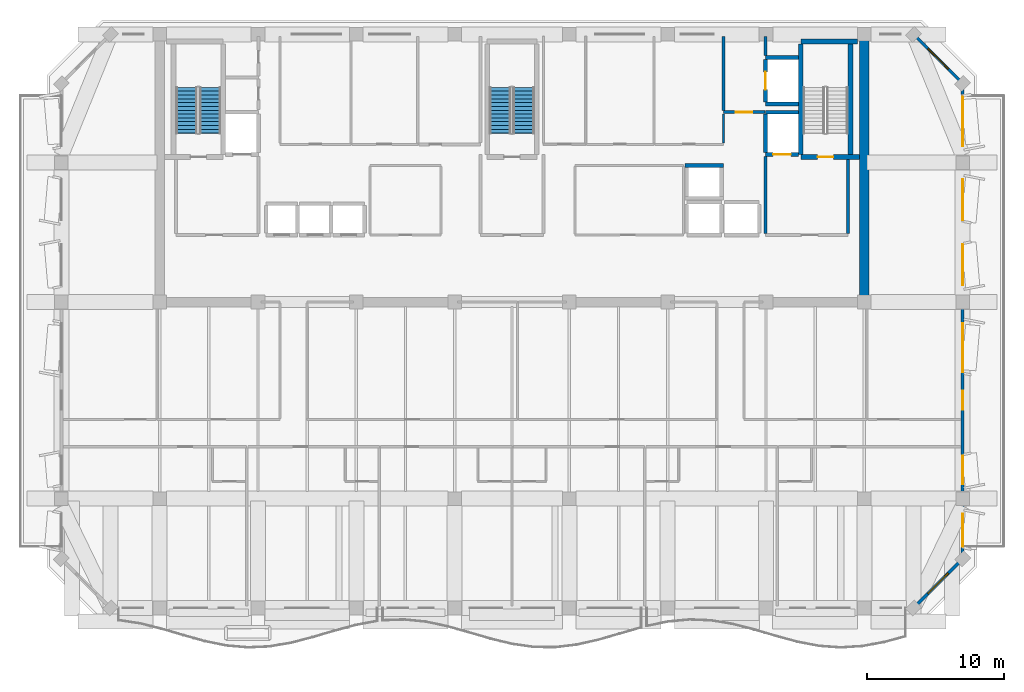
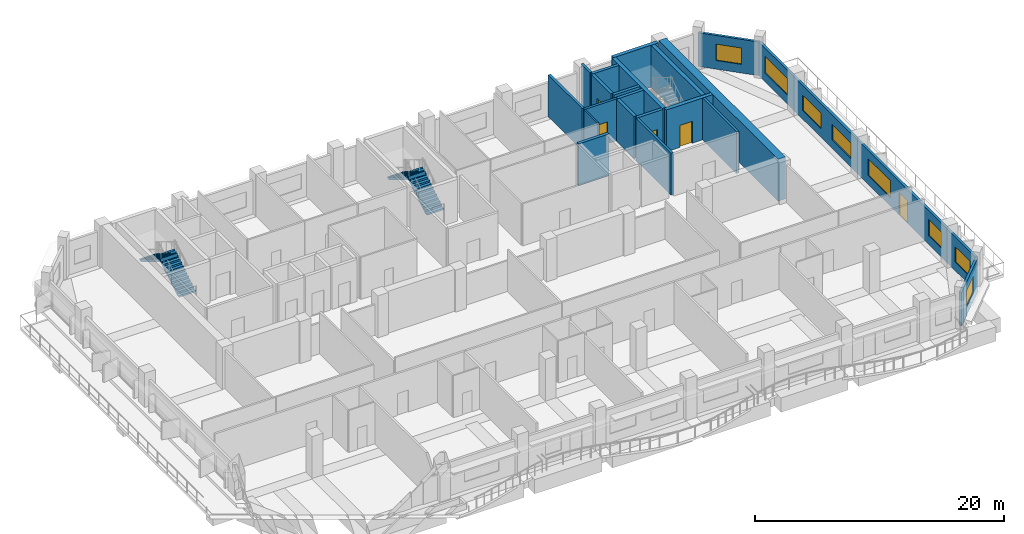
# One storey, part 7 of 12: 21 walls, 8 windows, 5 doors, 4 stair flights, 13 openings, 2 elements without a shape of their own.
"""IFC4 building model written with IfcOpenShell, lengths in metres."""

from ifc_helpers import new_model, si_unit, direction, frame, frame_2d, origin, place, context, subcontext, project, spatial, polyline, rectangle, outline, extrude, material, layer, layer_set, type_object, element, fill, aggregate, save


model = new_model("IFC4")

# Units and contexts
model_context = context("Model", 3, precision=1e-05, world=origin(), true_north=direction((0.0, 1.0)))
body_context = subcontext(model_context, "Body", "Model", "MODEL_VIEW")
ifc_project = project(units=[si_unit("LENGTHUNIT", "METRE"), si_unit("AREAUNIT", "SQUARE_METRE"), si_unit("VOLUMEUNIT", "CUBIC_METRE"), si_unit("PLANEANGLEUNIT", "RADIAN"), si_unit("MASSUNIT", "GRAM", prefix="KILO")], contexts=[model_context])

# Site, building, storey
site_placement = place(None, origin())
site = spatial("IfcSite", under=ifc_project, at=site_placement, CompositionType="ELEMENT")
building_placement = place(site_placement, origin())
building = spatial("IfcBuilding", under=site, at=building_placement, Name="Kaelvorn Grand Hotel", CompositionType="ELEMENT")
storey_placement = place(building_placement, frame((0.0, 0.0, 285.89990234375)))
storey = spatial("IfcBuildingStorey", under=building, at=storey_placement, Name="L70", CompositionType="ELEMENT", Elevation=285.89990234375)

# Wall
ifc_material_1 = material(Name="Concrete C50/60", Category="concrete")
ifc_layer_1 = layer(ifc_material_1, 0.699951171875)
ifc_layer_set_1 = layer_set([ifc_layer_1], Name="Concrete C50/60")
wall_type_1 = type_object("IfcWallType", Name="WL-CORE-700-C50", PredefinedType="SHEAR", material=ifc_layer_set_1)
wall_1_placement = place(storey_placement, frame((67.800048828125, 29.39990234375, 0.0), z_axis=(0.0, 0.0, 1.0), x_axis=(0.0, 1.0, 0.0)))
element("IfcWall", 1, at=wall_1_placement, inside=storey, type_object=wall_type_1, Name="L70 Rear-Core East Shear Wall", PredefinedType="SHEAR", context=body_context, shape_type="SweptSolid", body=[
    extrude(rectangle(XDim=19.2001953125, YDim=0.699951171875, at=frame_2d((9.60009765625, 0.0))), origin(), (0.0, 0.0, 1.0), 4.10009765625),
])

# Wall, opening, window
ifc_material_2 = material(Name="Concrete C40/50", Category="concrete")
ifc_layer_2 = layer(ifc_material_2, 0.219970703125)
ifc_layer_set_2 = layer_set([ifc_layer_2], Name="Concrete C40/50")
wall_type_2 = type_object("IfcWallType", Name="WL-EXT-220-C40", PredefinedType="SOLIDWALL", material=ifc_layer_set_2)
wall_2_placement = place(storey_placement, frame((71.39990234375, 7.0, 0.0), z_axis=(0.0, 0.0, 1.0), x_axis=(0.707106781187, 0.707106781187, 0.0)))
wall_2 = element("IfcWall", 2, at=wall_2_placement, inside=storey, type_object=wall_type_2, Name="L70 Exterior Architectural Concrete Wall 02", PredefinedType="SOLIDWALL", context=body_context, shape_type="SweptSolid", body=[
    extrude(rectangle(XDim=5.09130859375, YDim=0.219970703125, at=frame_2d((2.545654296875, 0.0))), origin(), (0.0, 0.0, 1.0), 3.300048828125),
])
opening_1_placement = place(wall_2_placement, frame((1.49560546875, 0.0, 0.85009765625)))
opening_1 = element("IfcOpeningElement", 3, at=opening_1_placement, cuts=wall_2, Name="Opening W7", PredefinedType="OPENING", context=body_context, shape_type="SweptSolid", body=[
    extrude(rectangle(XDim=2.10009765625, YDim=1.60009765625, at=frame_2d((1.050048828125, 0.800048828125))), frame((0.0, 0.1201171875, 0.0), z_axis=(0.0, -1.0, 0.0), x_axis=(1.0, 0.0, 0.0)), (0.0, 0.0, 1.0), 0.239990234375),
])
ifc_material_3 = material(Name="Laminated Low-E Glass", Category="glass")
window_type_1 = type_object("IfcWindowType", Name="WIN-CHM-2100x1600", PartitioningType="SINGLE_PANEL", PredefinedType="WINDOW", material=ifc_material_3)
window_1_placement = place(opening_1_placement, origin())
window_1 = element("IfcWindow", 4, at=window_1_placement, inside=storey, type_object=window_type_1, Name="L70 Chamfered 45-Degree Corner Window SE", OverallHeight=1.60009765625, OverallWidth=2.10009765625, PartitioningType="SINGLE_PANEL", PredefinedType="WINDOW", context=body_context, shape_type="SweptSolid", body=[
    extrude(rectangle(XDim=2.10009765625, YDim=1.60009765625, at=frame_2d((1.050048828125, 0.800048828125))), frame((0.0, 0.030029296875, 0.0), z_axis=(0.0, -1.0, 0.0), x_axis=(1.0, 0.0, 0.0)), (0.0, 0.0, 1.0), 0.06005859375),
])
fill(opening_1, window_1)

# Wall, openings, door, windows
wall_3_placement = place(storey_placement, frame((75.0, 10.60009765625, 0.0), z_axis=(0.0, 0.0, 1.0), x_axis=(0.0, 1.0, 0.0)))
wall_3 = element("IfcWall", 5, at=wall_3_placement, inside=storey, type_object=wall_type_2, Name="L70 Exterior Architectural Concrete Wall 03", PredefinedType="SOLIDWALL", context=body_context, shape_type="SweptSolid", body=[
    extrude(rectangle(XDim=34.7998046875, YDim=0.219970703125, at=frame_2d((17.39990234375, 0.0))), origin(), (0.0, 0.0, 1.0), 3.300048828125),
])
opening_2_placement = place(wall_3_placement, frame((10.89990234375, 0.0, 0.0)))
opening_2 = element("IfcOpeningElement", 6, at=opening_2_placement, cuts=wall_3, Name="Opening DE3", PredefinedType="OPENING", context=body_context, shape_type="SweptSolid", body=[
    extrude(rectangle(XDim=1.39990234375, YDim=2.199951171875, at=frame_2d((0.699951171875, 1.10009765625))), frame((0.0, 0.1201171875, 0.0), z_axis=(0.0, -1.0, 0.0), x_axis=(1.0, 0.0, 0.0)), (0.0, 0.0, 1.0), 0.239990234375),
])
opening_3_placement = place(wall_3_placement, frame((0.885009765625, 0.0, 0.85009765625)))
opening_3 = element("IfcOpeningElement", 7, at=opening_3_placement, cuts=wall_3, Name="Opening W6", PredefinedType="OPENING", context=body_context, shape_type="SweptSolid", body=[
    extrude(rectangle(XDim=2.39990234375, YDim=1.5, at=frame_2d((1.199951171875, 0.75))), frame((0.0, 0.1201171875, 0.0), z_axis=(0.0, -1.0, 0.0), x_axis=(1.0, 0.0, 0.0)), (0.0, 0.0, 1.0), 0.239990234375),
])
opening_4_placement = place(wall_3_placement, frame((5.449951171875, 0.0, 0.85009765625)))
opening_4 = element("IfcOpeningElement", 8, at=opening_4_placement, cuts=wall_3, Name="Opening W7", PredefinedType="OPENING", context=body_context, shape_type="SweptSolid", body=[
    extrude(rectangle(XDim=2.10009765625, YDim=1.60009765625, at=frame_2d((1.050048828125, 0.800048828125))), frame((0.0, 0.1201171875, 0.0), z_axis=(0.0, -1.0, 0.0), x_axis=(1.0, 0.0, 0.0)), (0.0, 0.0, 1.0), 0.239990234375),
])
opening_5_placement = place(wall_3_placement, frame((13.659912109375, 0.0, 0.85009765625)))
opening_5 = element("IfcOpeningElement", 9, at=opening_5_placement, cuts=wall_3, Name="Opening W3", PredefinedType="OPENING", context=body_context, shape_type="SweptSolid", body=[
    extrude(rectangle(XDim=3.60009765625, YDim=1.64990234375, at=frame_2d((1.800048828125, 0.824951171875))), frame((0.0, 0.1201171875, 0.0), z_axis=(0.0, -1.0, 0.0), x_axis=(1.0, 0.0, 0.0)), (0.0, 0.0, 1.0), 0.239990234375),
])
opening_6_placement = place(wall_3_placement, frame((20.014892578125, 0.0, 0.85009765625)))
opening_6 = element("IfcOpeningElement", 10, at=opening_6_placement, cuts=wall_3, Name="Opening W5", PredefinedType="OPENING", context=body_context, shape_type="SweptSolid", body=[
    extrude(rectangle(XDim=3.0, YDim=1.5, at=frame_2d((1.5, 0.75))), frame((0.0, 0.1201171875, 0.0), z_axis=(0.0, -1.0, 0.0), x_axis=(1.0, 0.0, 0.0)), (0.0, 0.0, 1.0), 0.239990234375),
])
opening_7_placement = place(wall_3_placement, frame((24.784912109375, 0.0, 0.85009765625)))
opening_7 = element("IfcOpeningElement", 11, at=opening_7_placement, cuts=wall_3, Name="Opening W5", PredefinedType="OPENING", context=body_context, shape_type="SweptSolid", body=[
    extrude(rectangle(XDim=3.0, YDim=1.5, at=frame_2d((1.5, 0.75))), frame((0.0, 0.1201171875, 0.0), z_axis=(0.0, -1.0, 0.0), x_axis=(1.0, 0.0, 0.0)), (0.0, 0.0, 1.0), 0.239990234375),
])
opening_8_placement = place(wall_3_placement, frame((30.215087890625, 0.0, 0.85009765625)))
opening_8 = element("IfcOpeningElement", 12, at=opening_8_placement, cuts=wall_3, Name="Opening W3", PredefinedType="OPENING", context=body_context, shape_type="SweptSolid", body=[
    extrude(rectangle(XDim=3.60009765625, YDim=1.64990234375, at=frame_2d((1.800048828125, 0.824951171875))), frame((0.0, 0.1201171875, 0.0), z_axis=(0.0, -1.0, 0.0), x_axis=(1.0, 0.0, 0.0)), (0.0, 0.0, 1.0), 0.239990234375),
])
ifc_material_4 = material(Name="Anodised Aluminium", Category="aluminium")
door_type_1 = type_object("IfcDoorType", Name="DR-EXT-TERR-1400x2200", OperationType="NOTDEFINED", PredefinedType="DOOR", material=ifc_material_4)
door_1_placement = place(opening_2_placement, origin())
door_1 = element("IfcDoor", 13, at=door_1_placement, inside=storey, type_object=door_type_1, Name="L70 East Setback Terrace Step-Free Door DE3-E", OperationType="SINGLE_SWING_RIGHT", OverallHeight=2.199951171875, OverallWidth=1.39990234375, PredefinedType="DOOR", context=body_context, shape_type="SweptSolid", body=[
    extrude(rectangle(XDim=1.39990234375, YDim=2.199951171875, at=frame_2d((0.699951171875, 1.10009765625))), frame((0.0, 0.02490234375, 0.0), z_axis=(0.0, -1.0, 0.0), x_axis=(1.0, 0.0, 0.0)), (0.0, 0.0, 1.0), 0.050048828125),
])
fill(opening_2, door_1)
window_2_placement = place(opening_4_placement, origin())
window_2 = element("IfcWindow", 14, at=window_2_placement, inside=storey, type_object=window_type_1, Name="L70 E Wing Tilted-Frame Ribbon Window E02", OverallHeight=1.60009765625, OverallWidth=2.10009765625, PartitioningType="SINGLE_PANEL", PredefinedType="WINDOW", context=body_context, shape_type="SweptSolid", body=[
    extrude(rectangle(XDim=2.10009765625, YDim=1.60009765625, at=frame_2d((1.050048828125, 0.800048828125))), frame((0.0, 0.030029296875, 0.0), z_axis=(0.0, -1.0, 0.0), x_axis=(1.0, 0.0, 0.0)), (0.0, 0.0, 1.0), 0.06005859375),
])
fill(opening_4, window_2)
window_type_2 = type_object("IfcWindowType", Name="WIN-NTH-2400x1500", PartitioningType="SINGLE_PANEL", PredefinedType="WINDOW", material=ifc_material_3)
window_3_placement = place(opening_3_placement, origin())
window_3 = element("IfcWindow", 15, at=window_3_placement, inside=storey, type_object=window_type_2, Name="L70 E Wing Tilted-Frame Ribbon Window E01", OverallHeight=1.5, OverallWidth=2.39990234375, PartitioningType="SINGLE_PANEL", PredefinedType="WINDOW", context=body_context, shape_type="SweptSolid", body=[
    extrude(rectangle(XDim=2.39990234375, YDim=1.5, at=frame_2d((1.199951171875, 0.75))), frame((0.0, 0.030029296875, 0.0), z_axis=(0.0, -1.0, 0.0), x_axis=(1.0, 0.0, 0.0)), (0.0, 0.0, 1.0), 0.06005859375),
])
fill(opening_3, window_3)
window_type_3 = type_object("IfcWindowType", Name="WIN-NTH-3000x1500", PartitioningType="SINGLE_PANEL", PredefinedType="WINDOW", material=ifc_material_3)
window_4_placement = place(opening_6_placement, origin())
window_4 = element("IfcWindow", 16, at=window_4_placement, inside=storey, type_object=window_type_3, Name="L70 E Wing Tilted-Frame Ribbon Window E04", OverallHeight=1.5, OverallWidth=3.0, PartitioningType="SINGLE_PANEL", PredefinedType="WINDOW", context=body_context, shape_type="SweptSolid", body=[
    extrude(rectangle(XDim=3.0, YDim=1.5, at=frame_2d((1.5, 0.75))), frame((0.0, 0.030029296875, 0.0), z_axis=(0.0, -1.0, 0.0), x_axis=(1.0, 0.0, 0.0)), (0.0, 0.0, 1.0), 0.06005859375),
])
fill(opening_6, window_4)
window_5_placement = place(opening_7_placement, origin())
window_5 = element("IfcWindow", 17, at=window_5_placement, inside=storey, type_object=window_type_3, Name="L70 E Wing Tilted-Frame Ribbon Window E05", OverallHeight=1.5, OverallWidth=3.0, PartitioningType="SINGLE_PANEL", PredefinedType="WINDOW", context=body_context, shape_type="SweptSolid", body=[
    extrude(rectangle(XDim=3.0, YDim=1.5, at=frame_2d((1.5, 0.75))), frame((0.0, 0.030029296875, 0.0), z_axis=(0.0, -1.0, 0.0), x_axis=(1.0, 0.0, 0.0)), (0.0, 0.0, 1.0), 0.06005859375),
])
fill(opening_7, window_5)
window_type_4 = type_object("IfcWindowType", Name="WIN-RIB-3600x1750", PartitioningType="SINGLE_PANEL", PredefinedType="WINDOW", material=ifc_material_3)
window_6_placement = place(opening_5_placement, origin())
window_6 = element("IfcWindow", 18, at=window_6_placement, inside=storey, type_object=window_type_4, Name="L70 E Wing Tilted-Frame Ribbon Window E03", OverallHeight=1.64990234375, OverallWidth=3.60009765625, PartitioningType="SINGLE_PANEL", PredefinedType="WINDOW", context=body_context, shape_type="SweptSolid", body=[
    extrude(rectangle(XDim=3.60009765625, YDim=1.64990234375, at=frame_2d((1.800048828125, 0.824951171875))), frame((0.0, 0.030029296875, 0.0), z_axis=(0.0, -1.0, 0.0), x_axis=(1.0, 0.0, 0.0)), (0.0, 0.0, 1.0), 0.06005859375),
])
fill(opening_5, window_6)
window_7_placement = place(opening_8_placement, origin())
window_7 = element("IfcWindow", 19, at=window_7_placement, inside=storey, type_object=window_type_4, Name="L70 E Wing Tilted-Frame Ribbon Window E06", OverallHeight=1.64990234375, OverallWidth=3.60009765625, PartitioningType="SINGLE_PANEL", PredefinedType="WINDOW", context=body_context, shape_type="SweptSolid", body=[
    extrude(rectangle(XDim=3.60009765625, YDim=1.64990234375, at=frame_2d((1.800048828125, 0.824951171875))), frame((0.0, 0.030029296875, 0.0), z_axis=(0.0, -1.0, 0.0), x_axis=(1.0, 0.0, 0.0)), (0.0, 0.0, 1.0), 0.06005859375),
])
fill(opening_8, window_7)

# Wall, opening, window
wall_4_placement = place(storey_placement, frame((75.0, 45.39990234375, 0.0), z_axis=(0.0, 0.0, 1.0), x_axis=(-0.707106781187, 0.707106781187, 0.0)))
wall_4 = element("IfcWall", 20, at=wall_4_placement, inside=storey, type_object=wall_type_2, Name="L70 Exterior Architectural Concrete Wall 04", PredefinedType="SOLIDWALL", context=body_context, shape_type="SweptSolid", body=[
    extrude(rectangle(XDim=5.09130859375, YDim=0.219970703125, at=frame_2d((2.545654296875, 0.0))), origin(), (0.0, 0.0, 1.0), 3.300048828125),
])
opening_9_placement = place(wall_4_placement, frame((1.49560546875, 0.0, 0.85009765625)))
opening_9 = element("IfcOpeningElement", 21, at=opening_9_placement, cuts=wall_4, Name="Opening W7", PredefinedType="OPENING", context=body_context, shape_type="SweptSolid", body=[
    extrude(rectangle(XDim=2.10009765625, YDim=1.60009765625, at=frame_2d((1.050048828125, 0.800048828125))), frame((0.0, 0.1201171875, 0.0), z_axis=(0.0, -1.0, 0.0), x_axis=(1.0, 0.0, 0.0)), (0.0, 0.0, 1.0), 0.239990234375),
])
window_8_placement = place(opening_9_placement, origin())
window_8 = element("IfcWindow", 22, at=window_8_placement, inside=storey, type_object=window_type_1, Name="L70 Chamfered 45-Degree Corner Window NE", OverallHeight=1.60009765625, OverallWidth=2.10009765625, PartitioningType="SINGLE_PANEL", PredefinedType="WINDOW", context=body_context, shape_type="SweptSolid", body=[
    extrude(rectangle(XDim=2.10009765625, YDim=1.60009765625, at=frame_2d((1.050048828125, 0.800048828125))), frame((0.0, 0.030029296875, 0.0), z_axis=(0.0, -1.0, 0.0), x_axis=(1.0, 0.0, 0.0)), (0.0, 0.0, 1.0), 0.06005859375),
])
fill(opening_9, window_8)

# Walls
ifc_material_5 = material(Name="Acoustic Gypsum & Stud Partition")
ifc_layer_3 = layer(ifc_material_5, 0.14990234375)
ifc_layer_set_3 = layer_set([ifc_layer_3], Name="Acoustic Gypsum & Stud Partition")
wall_type_3 = type_object("IfcWallType", Name="WL-PART-150-EI60", PredefinedType="PARTITIONING", material=ifc_layer_set_3)
wall_5_placement = place(storey_placement, frame((57.5, 41.030029296875, 0.0), z_axis=(0.0, 0.0, 1.0), x_axis=(0.0, 1.0, 0.0)))
element("IfcWall", 23, at=wall_5_placement, inside=storey, type_object=wall_type_3, Name="L70 Clean Utility & Amenity Store E Partition", PredefinedType="PARTITIONING", context=body_context, shape_type="SweptSolid", body=[
    extrude(rectangle(XDim=2.155029296875, YDim=0.14990234375, at=frame_2d((1.07763671875, 0.0))), origin(), (0.0, 0.0, 1.0), 4.10009765625),
])
ifc_layer_4 = layer(ifc_material_2, 0.219970703125)
ifc_layer_set_4 = layer_set([ifc_layer_4], Name="Concrete C40/50")
wall_type_4 = type_object("IfcWallType", Name="WL-PART-220-EI120", PredefinedType="PARTITIONING", material=ifc_layer_set_4)
wall_6_placement = place(storey_placement, frame((60.550048828125, 34.4150390625, 0.0), z_axis=(0.0, 0.0, 1.0), x_axis=(0.0, 1.0, 0.0)))
element("IfcWall", 24, at=wall_6_placement, inside=storey, type_object=wall_type_4, Name="L70 Firefighting Lift Lobby 2 W Partition", PredefinedType="PARTITIONING", context=body_context, shape_type="SweptSolid", body=[
    extrude(rectangle(XDim=5.639892578125, YDim=0.219970703125, at=frame_2d((2.81982421875, 0.0))), origin(), (0.0, 0.0, 1.0), 4.10009765625),
])
wall_7_placement = place(storey_placement, frame((66.60009765625, 34.4150390625, 0.0), z_axis=(0.0, 0.0, 1.0), x_axis=(0.0, 1.0, 0.0)))
element("IfcWall", 25, at=wall_7_placement, inside=storey, type_object=wall_type_4, Name="L70 Firefighting Lift Lobby 2 E Partition", PredefinedType="PARTITIONING", context=body_context, shape_type="SweptSolid", body=[
    extrude(rectangle(XDim=5.429931640625, YDim=0.219970703125, at=frame_2d((2.71484375, 0.0))), origin(), (0.0, 0.0, 1.0), 4.10009765625),
])

# Wall, opening, door
wall_8_placement = place(storey_placement, frame((57.5, 43.300048828125, 0.0), z_axis=(0.0, 0.0, 1.0), x_axis=(1.0, 0.0, 0.0)))
wall_8 = element("IfcWall", 26, at=wall_8_placement, inside=storey, type_object=wall_type_4, Name="L70 Service Lift Lobby S Partition", PredefinedType="PARTITIONING", context=body_context, shape_type="SweptSolid", body=[
    extrude(rectangle(XDim=3.0400390625, YDim=0.219970703125, at=frame_2d((1.52001953125, 0.0))), origin(), (0.0, 0.0, 1.0), 4.10009765625),
])
opening_10_placement = place(wall_8_placement, frame((0.89990234375, 0.0, 0.0)))
opening_10 = element("IfcOpeningElement", 27, at=opening_10_placement, cuts=wall_8, Name="Opening DI2", PredefinedType="OPENING", context=body_context, shape_type="SweptSolid", body=[
    extrude(rectangle(XDim=1.199951171875, YDim=2.14990234375, at=frame_2d((0.60009765625, 1.074951171875))), frame((0.0, 0.1201171875, 0.0), z_axis=(0.0, -1.0, 0.0), x_axis=(1.0, 0.0, 0.0)), (0.0, 0.0, 1.0), 0.239990234375),
])
ifc_material_6 = material(Name="Timber Veneer Fire Leaf", Category="wood")
door_type_2 = type_object("IfcDoorType", Name="DR-INT-FFLOB-1200x2150", OperationType="NOTDEFINED", PredefinedType="DOOR", material=ifc_material_6)
door_2_placement = place(opening_10_placement, origin())
door_2 = element("IfcDoor", 28, at=door_2_placement, inside=storey, type_object=door_type_2, Name="L70 Service Lift Lobby Door", OperationType="SINGLE_SWING_RIGHT", OverallHeight=2.14990234375, OverallWidth=1.199951171875, PredefinedType="DOOR", context=body_context, shape_type="SweptSolid", body=[
    extrude(rectangle(XDim=1.199951171875, YDim=2.14990234375, at=frame_2d((0.60009765625, 1.074951171875))), frame((0.0, 0.02490234375, 0.0), z_axis=(0.0, -1.0, 0.0), x_axis=(1.0, 0.0, 0.0)), (0.0, 0.0, 1.0), 0.050048828125),
])
fill(opening_10, door_2)

# Walls
wall_9_placement = place(storey_placement, frame((57.5, 43.4150390625, 0.0), z_axis=(0.0, 0.0, 1.0), x_axis=(0.0, 1.0, 0.0)))
element("IfcWall", 29, at=wall_9_placement, inside=storey, type_object=wall_type_4, Name="L70 Service Lift Lobby W Partition", PredefinedType="PARTITIONING", context=body_context, shape_type="SweptSolid", body=[
    extrude(rectangle(XDim=5.43505859375, YDim=0.219970703125, at=frame_2d((2.717529296875, 0.0))), origin(), (0.0, 0.0, 1.0), 4.10009765625),
])
wall_10_placement = place(storey_placement, frame((60.550048828125, 47.445068359375, 0.0), z_axis=(0.0, 0.0, 1.0), x_axis=(0.0, 1.0, 0.0)))
element("IfcWall", 30, at=wall_10_placement, inside=storey, type_object=wall_type_4, Name="L70 Service Lift Lobby E Partition", PredefinedType="PARTITIONING", context=body_context, shape_type="SweptSolid", body=[
    extrude(rectangle(XDim=1.405029296875, YDim=0.219970703125, at=frame_2d((0.70263671875, 0.0))), origin(), (0.0, 0.0, 1.0), 4.10009765625),
])
ifc_layer_5 = layer(ifc_material_1, 0.280029296875)
ifc_layer_set_5 = layer_set([ifc_layer_5], Name="Concrete C50/60")
wall_type_5 = type_object("IfcWallType", Name="WL-SHAFT-280-C50", PredefinedType="SHEAR", material=ifc_layer_set_5)
wall_11_placement = place(storey_placement, frame((54.659912109375, 39.39990234375, 0.0), z_axis=(0.0, 0.0, 1.0), x_axis=(1.0, 0.0, 0.0)))
element("IfcWall", 31, at=wall_11_placement, inside=storey, type_object=wall_type_5, Name="L70 Lift OL-3 Shaft North Wall", PredefinedType="SHEAR", context=body_context, shape_type="SweptSolid", body=[
    extrude(rectangle(XDim=2.830078125, YDim=0.280029296875, at=frame_2d((1.4150390625, 0.0))), origin(), (0.0, 0.0, 1.0), 4.10009765625),
])

# Wall, opening, door
wall_12_placement = place(storey_placement, frame((60.550048828125, 40.199951171875, 0.0), z_axis=(0.0, 0.0, 1.0), x_axis=(1.0, 0.0, 0.0)))
wall_12 = element("IfcWall", 32, at=wall_12_placement, inside=storey, type_object=wall_type_5, Name="L70 Lift FFL2 Shaft South Wall", PredefinedType="SHEAR", context=body_context, shape_type="SweptSolid", body=[
    extrude(rectangle(XDim=2.4150390625, YDim=0.280029296875, at=frame_2d((1.20751953125, 0.0))), origin(), (0.0, 0.0, 1.0), 4.10009765625),
])
opening_11_placement = place(wall_12_placement, frame((0.574951171875, 0.0, 0.0)))
opening_11 = element("IfcOpeningElement", 33, at=opening_11_placement, cuts=wall_12, Name="Opening LD-FFL2", PredefinedType="OPENING", context=body_context, shape_type="SweptSolid", body=[
    extrude(rectangle(XDim=1.300048828125, YDim=2.300048828125, at=frame_2d((0.64990234375, 1.14990234375))), frame((0.0, 0.14990234375, 0.0), z_axis=(0.0, -1.0, 0.0), x_axis=(1.0, 0.0, 0.0)), (0.0, 0.0, 1.0), 0.300048828125),
])
ifc_material_7 = material(Name="Stainless Steel", Category="steel")
door_type_3 = type_object("IfcDoorType", Name="DR-LIFT-SERV-1300x2300", OperationType="DOUBLE_DOOR_SLIDING", PredefinedType="DOOR", material=ifc_material_7)
door_3_placement = place(opening_11_placement, origin())
door_3 = element("IfcDoor", 34, at=door_3_placement, inside=storey, type_object=door_type_3, Name="L70 Lift FFL2 Sliding Landing Door LD-FFL2", OperationType="DOUBLE_DOOR_SLIDING", OverallHeight=2.300048828125, OverallWidth=1.300048828125, PredefinedType="DOOR", context=body_context, shape_type="SweptSolid", body=[
    extrude(rectangle(XDim=1.300048828125, YDim=2.300048828125, at=frame_2d((0.64990234375, 1.14990234375))), frame((0.0, 0.02490234375, 0.0), z_axis=(0.0, -1.0, 0.0), x_axis=(1.0, 0.0, 0.0)), (0.0, 0.0, 1.0), 0.050048828125),
])
fill(opening_11, door_3)

# Walls
wall_13_placement = place(storey_placement, frame((60.550048828125, 43.300048828125, 0.0), z_axis=(0.0, 0.0, 1.0), x_axis=(1.0, 0.0, 0.0)))
element("IfcWall", 35, at=wall_13_placement, inside=storey, type_object=wall_type_5, Name="L70 Lift FFL2 Shaft North Wall", PredefinedType="SHEAR", context=body_context, shape_type="SweptSolid", body=[
    extrude(rectangle(XDim=2.4150390625, YDim=0.280029296875, at=frame_2d((1.20751953125, 0.0))), origin(), (0.0, 0.0, 1.0), 4.10009765625),
])
wall_14_placement = place(storey_placement, frame((60.550048828125, 40.344970703125, 0.0), z_axis=(0.0, 0.0, 1.0), x_axis=(0.0, 1.0, 0.0)))
element("IfcWall", 36, at=wall_14_placement, inside=storey, type_object=wall_type_5, Name="L70 Lift FFL2 Shaft West Wall", PredefinedType="SHEAR", context=body_context, shape_type="SweptSolid", body=[
    extrude(rectangle(XDim=2.81005859375, YDim=0.280029296875, at=frame_2d((1.405029296875, 0.0))), origin(), (0.0, 0.0, 1.0), 4.10009765625),
])
for number, where, z_axis, x_axis, name in (
    (37, (60.550048828125, 43.89990234375, 0.0), (0.0, 0.0, 1.0), (1.0, 0.0, 0.0), "L70 Lift SV1 Shaft South Wall"),
    (38, (60.550048828125, 47.300048828125, 0.0), (0.0, 0.0, 1.0), (1.0, 0.0, 0.0), "L70 Lift SV1 Shaft North Wall"),
):
    element("IfcWall", number, at=place(storey_placement, frame(where, z_axis=z_axis, x_axis=x_axis)), inside=storey, type_object=wall_type_5, Name=name, PredefinedType="SHEAR", context=body_context, shape_type="SweptSolid", body=[
        extrude(rectangle(XDim=2.4150390625, YDim=0.280029296875, at=frame_2d((1.20751953125, 0.0))), origin(), (0.0, 0.0, 1.0), 4.10009765625),
    ])

# Wall, opening, door
wall_15_placement = place(storey_placement, frame((60.550048828125, 44.044921875, 0.0), z_axis=(0.0, 0.0, 1.0), x_axis=(0.0, 1.0, 0.0)))
wall_15 = element("IfcWall", 39, at=wall_15_placement, inside=storey, type_object=wall_type_5, Name="L70 Lift SV1 Shaft West Wall", PredefinedType="SHEAR", context=body_context, shape_type="SweptSolid", body=[
    extrude(rectangle(XDim=3.110107421875, YDim=0.280029296875, at=frame_2d((1.55517578125, 0.0))), origin(), (0.0, 0.0, 1.0), 4.10009765625),
])
opening_12_placement = place(wall_15_placement, frame((0.905029296875, 0.0, 0.0)))
opening_12 = element("IfcOpeningElement", 40, at=opening_12_placement, cuts=wall_15, Name="Opening LD-SV1", PredefinedType="OPENING", context=body_context, shape_type="SweptSolid", body=[
    extrude(rectangle(XDim=1.300048828125, YDim=2.300048828125, at=frame_2d((0.64990234375, 1.14990234375))), frame((0.0, 0.14990234375, 0.0), z_axis=(0.0, -1.0, 0.0), x_axis=(1.0, 0.0, 0.0)), (0.0, 0.0, 1.0), 0.300048828125),
])
door_4_placement = place(opening_12_placement, origin())
door_4 = element("IfcDoor", 41, at=door_4_placement, inside=storey, type_object=door_type_3, Name="L70 Lift SV1 Sliding Landing Door LD-SV1", OperationType="DOUBLE_DOOR_SLIDING", OverallHeight=2.300048828125, OverallWidth=1.300048828125, PredefinedType="DOOR", context=body_context, shape_type="SweptSolid", body=[
    extrude(rectangle(XDim=1.300048828125, YDim=2.300048828125, at=frame_2d((0.64990234375, 1.14990234375))), frame((0.0, 0.02490234375, 0.0), z_axis=(0.0, -1.0, 0.0), x_axis=(1.0, 0.0, 0.0)), (0.0, 0.0, 1.0), 0.050048828125),
])
fill(opening_12, door_4)

ifc_material_8 = material(Name="Concrete C60/75", Category="concrete")
ifc_layer_6 = layer(ifc_material_8, 0.35009765625)
ifc_layer_set_6 = layer_set([ifc_layer_6], Name="Concrete C60/75")
wall_type_6 = type_object("IfcWallType", Name="WL-SHAFT-350-C60", PredefinedType="SHEAR", material=ifc_layer_set_6)
wall_16_placement = place(storey_placement, frame((63.14501953125, 40.02490234375, 0.0), z_axis=(0.0, 0.0, 1.0), x_axis=(1.0, 0.0, 0.0)))
wall_16 = element("IfcWall", 42, at=wall_16_placement, inside=storey, type_object=wall_type_6, Name="L70 ST3 Stair Shaft South Wall", PredefinedType="SHEAR", context=body_context, shape_type="SweptSolid", body=[
    extrude(rectangle(XDim=4.300048828125, YDim=0.35009765625, at=frame_2d((2.14990234375, 0.0))), origin(), (0.0, 0.0, 1.0), 4.10009765625),
])
opening_13_placement = place(wall_16_placement, frame((1.239990234375, 0.0, 0.0)))
opening_13 = element("IfcOpeningElement", 43, at=opening_13_placement, cuts=wall_16, Name="Opening DI1", PredefinedType="OPENING", context=body_context, shape_type="SweptSolid", body=[
    extrude(rectangle(XDim=1.14990234375, YDim=2.14990234375, at=frame_2d((0.574951171875, 1.074951171875))), frame((0.0, 0.18505859375, 0.0), z_axis=(0.0, -1.0, 0.0), x_axis=(1.0, 0.0, 0.0)), (0.0, 0.0, 1.0), 0.3701171875),
])
door_type_4 = type_object("IfcDoorType", Name="DR-INT-STAIR-1150x2150", OperationType="NOTDEFINED", PredefinedType="DOOR", material=ifc_material_6)
door_5_placement = place(opening_13_placement, origin())
door_5 = element("IfcDoor", 44, at=door_5_placement, inside=storey, type_object=door_type_4, Name="L70 ST3 Exit Stair Fire Door", OperationType="SINGLE_SWING_RIGHT", OverallHeight=2.14990234375, OverallWidth=1.14990234375, PredefinedType="DOOR", context=body_context, shape_type="SweptSolid", body=[
    extrude(rectangle(XDim=1.14990234375, YDim=2.14990234375, at=frame_2d((0.574951171875, 1.074951171875))), frame((0.0, 0.02490234375, 0.0), z_axis=(0.0, -1.0, 0.0), x_axis=(1.0, 0.0, 0.0)), (0.0, 0.0, 1.0), 0.050048828125),
])
fill(opening_13, door_5)

# Walls
wall_17_placement = place(storey_placement, frame((63.14501953125, 48.47509765625, 0.0), z_axis=(0.0, 0.0, 1.0), x_axis=(1.0, 0.0, 0.0)))
element("IfcWall", 45, at=wall_17_placement, inside=storey, type_object=wall_type_6, Name="L70 ST3 Stair Shaft North Wall", PredefinedType="SHEAR", context=body_context, shape_type="SweptSolid", body=[
    extrude(rectangle(XDim=4.14990234375, YDim=0.35009765625, at=frame_2d((2.074951171875, 0.0))), origin(), (0.0, 0.0, 1.0), 4.10009765625),
])
for number, where, z_axis, x_axis, name in (
    (46, (63.14501953125, 40.205078125, 0.0), (0.0, 0.0, 1.0), (0.0, 1.0, 0.0), "L70 ST3 Stair Shaft West Wall"),
    (47, (66.77490234375, 40.205078125, 0.0), (0.0, 0.0, 1.0), (0.0, 1.0, 0.0), "L70 ST3 Stair Shaft East Wall"),
):
    element("IfcWall", number, at=place(storey_placement, frame(where, z_axis=z_axis, x_axis=x_axis)), inside=storey, type_object=wall_type_6, Name=name, PredefinedType="SHEAR", context=body_context, shape_type="SweptSolid", body=[
        extrude(rectangle(XDim=8.08984375, YDim=0.35009765625, at=frame_2d((4.044921875, 0.0))), origin(), (0.0, 0.0, 1.0), 4.10009765625),
    ])

# Stair, stair flights
stair_type = type_object("IfcStairType", Name="STR-DOG-1560-R10", PredefinedType="HALF_TURN_STAIR", material=ifc_material_2)
stair_1_placement = place(storey_placement, origin())
stair_1 = element("IfcStair", 48, at=stair_1_placement, inside=storey, type_object=stair_type, Name="L70 West Core Exit Stair ST1", PredefinedType="HALF_TURN_STAIR")
stair_flight_type = type_object("IfcStairFlightType", Name="FLG-DOG-1560-R10", PredefinedType="STRAIGHT", material=ifc_material_2)
stair_flight_1_placement = place(storey_placement, frame((19.89990234375, 41.760009765625, 0.0), z_axis=(0.0, 0.0, 1.0), x_axis=(0.0, 1.0, 0.0)))
stair_flight_1 = element("IfcStairFlight", 49, at=stair_flight_1_placement, type_object=stair_flight_type, Name="ST1 flight 1", NumberOfRisers=13, NumberOfTreads=12, PredefinedType="STRAIGHT", RiserHeight=0.169230769, TreadLength=0.28, context=body_context, shape_type="SweptSolid", body=[
    extrude(outline(polyline([(-0.0048828125, 0.0), (-0.0048828125, 0.0400390625), (0.0, 0.169189453125), (0.280029296875, 0.169189453125), (0.280029296875, 0.33837890625), (0.56005859375, 0.33837890625), (0.56005859375, 0.5078125), (0.840087890625, 0.5078125), (0.840087890625, 0.677001953125), (1.1201171875, 0.677001953125), (1.1201171875, 0.84619140625), (1.39990234375, 0.84619140625), (1.39990234375, 1.015380859375), (1.679931640625, 1.015380859375), (1.679931640625, 1.1845703125), (1.9599609375, 1.1845703125), (1.9599609375, 1.353759765625), (2.239990234375, 1.353759765625), (2.239990234375, 1.523193359375), (2.52001953125, 1.523193359375), (2.52001953125, 1.6923828125), (2.800048828125, 1.6923828125), (2.800048828125, 1.861572265625), (3.080078125, 1.861572265625), (3.080078125, 2.03076171875), (3.360107421875, 2.03076171875), (3.360107421875, 2.199951171875), (3.364990234375, 2.199951171875), (3.364990234375, 1.855712890625), (0.289794921875, 0.0), (-0.0048828125, 0.0)])), frame((0.0, 0.780029296875, 0.0), z_axis=(0.0, -1.0, 0.0), x_axis=(1.0, 0.0, 0.0)), (0.0, 0.0, 1.0), 1.56005859375),
])
stair_flight_2_placement = place(storey_placement, frame((18.179931640625, 45.1201171875, 2.2001953125), z_axis=(0.0, 0.0, 1.0), x_axis=(0.0, -1.0, 0.0)))
stair_flight_2 = element("IfcStairFlight", 50, at=stair_flight_2_placement, type_object=stair_flight_type, Name="ST1 flight 2", NumberOfRisers=13, NumberOfTreads=12, PredefinedType="STRAIGHT", RiserHeight=0.169230769, TreadLength=0.28, context=body_context, shape_type="SweptSolid", body=[
    extrude(outline(polyline([(-0.0048828125, 0.0), (-0.0048828125, 0.0400390625), (0.0, 0.169189453125), (0.280029296875, 0.169189453125), (0.280029296875, 0.33837890625), (0.56005859375, 0.33837890625), (0.56005859375, 0.5078125), (0.840087890625, 0.5078125), (0.840087890625, 0.677001953125), (1.1201171875, 0.677001953125), (1.1201171875, 0.84619140625), (1.39990234375, 0.84619140625), (1.39990234375, 1.015380859375), (1.679931640625, 1.015380859375), (1.679931640625, 1.1845703125), (1.9599609375, 1.1845703125), (1.9599609375, 1.353759765625), (2.239990234375, 1.353759765625), (2.239990234375, 1.523193359375), (2.52001953125, 1.523193359375), (2.52001953125, 1.6923828125), (2.800048828125, 1.6923828125), (2.800048828125, 1.861572265625), (3.080078125, 1.861572265625), (3.080078125, 2.03076171875), (3.360107421875, 2.03076171875), (3.360107421875, 2.199951171875), (3.364990234375, 2.199951171875), (3.364990234375, 1.855712890625), (0.289794921875, 0.0), (-0.0048828125, 0.0)])), frame((0.0, 0.780029296875, 0.0), z_axis=(0.0, -1.0, 0.0), x_axis=(1.0, 0.0, 0.0)), (0.0, 0.0, 1.0), 1.56005859375),
])
aggregate(stair_1, [stair_flight_1, stair_flight_2])

stair_2_placement = place(storey_placement, origin())
stair_2 = element("IfcStair", 51, at=stair_2_placement, inside=storey, type_object=stair_type, Name="L70 Central Core Exit Stair ST2", PredefinedType="HALF_TURN_STAIR")
stair_flight_3_placement = place(storey_placement, frame((42.860107421875, 41.760009765625, 0.0), z_axis=(0.0, 0.0, 1.0), x_axis=(0.0, 1.0, 0.0)))
stair_flight_3 = element("IfcStairFlight", 52, at=stair_flight_3_placement, type_object=stair_flight_type, Name="ST2 flight 1", NumberOfRisers=13, NumberOfTreads=12, PredefinedType="STRAIGHT", RiserHeight=0.169230769, TreadLength=0.28, context=body_context, shape_type="SweptSolid", body=[
    extrude(outline(polyline([(-0.0048828125, 0.0), (-0.0048828125, 0.0400390625), (0.0, 0.169189453125), (0.280029296875, 0.169189453125), (0.280029296875, 0.33837890625), (0.56005859375, 0.33837890625), (0.56005859375, 0.5078125), (0.840087890625, 0.5078125), (0.840087890625, 0.677001953125), (1.1201171875, 0.677001953125), (1.1201171875, 0.84619140625), (1.39990234375, 0.84619140625), (1.39990234375, 1.015380859375), (1.679931640625, 1.015380859375), (1.679931640625, 1.1845703125), (1.9599609375, 1.1845703125), (1.9599609375, 1.353759765625), (2.239990234375, 1.353759765625), (2.239990234375, 1.523193359375), (2.52001953125, 1.523193359375), (2.52001953125, 1.6923828125), (2.800048828125, 1.6923828125), (2.800048828125, 1.861572265625), (3.080078125, 1.861572265625), (3.080078125, 2.03076171875), (3.360107421875, 2.03076171875), (3.360107421875, 2.199951171875), (3.364990234375, 2.199951171875), (3.364990234375, 1.855712890625), (0.289794921875, 0.0), (-0.0048828125, 0.0)])), frame((0.0, 0.780029296875, 0.0), z_axis=(0.0, -1.0, 0.0), x_axis=(1.0, 0.0, 0.0)), (0.0, 0.0, 1.0), 1.56005859375),
])
stair_flight_4_placement = place(storey_placement, frame((41.139892578125, 45.1201171875, 2.2001953125), z_axis=(0.0, 0.0, 1.0), x_axis=(0.0, -1.0, 0.0)))
stair_flight_4 = element("IfcStairFlight", 53, at=stair_flight_4_placement, type_object=stair_flight_type, Name="ST2 flight 2", NumberOfRisers=13, NumberOfTreads=12, PredefinedType="STRAIGHT", RiserHeight=0.169230769, TreadLength=0.28, context=body_context, shape_type="SweptSolid", body=[
    extrude(outline(polyline([(-0.0048828125, 0.0), (-0.0048828125, 0.0400390625), (0.0, 0.169189453125), (0.280029296875, 0.169189453125), (0.280029296875, 0.33837890625), (0.56005859375, 0.33837890625), (0.56005859375, 0.5078125), (0.840087890625, 0.5078125), (0.840087890625, 0.677001953125), (1.1201171875, 0.677001953125), (1.1201171875, 0.84619140625), (1.39990234375, 0.84619140625), (1.39990234375, 1.015380859375), (1.679931640625, 1.015380859375), (1.679931640625, 1.1845703125), (1.9599609375, 1.1845703125), (1.9599609375, 1.353759765625), (2.239990234375, 1.353759765625), (2.239990234375, 1.523193359375), (2.52001953125, 1.523193359375), (2.52001953125, 1.6923828125), (2.800048828125, 1.6923828125), (2.800048828125, 1.861572265625), (3.080078125, 1.861572265625), (3.080078125, 2.03076171875), (3.360107421875, 2.03076171875), (3.360107421875, 2.199951171875), (3.364990234375, 2.199951171875), (3.364990234375, 1.855712890625), (0.289794921875, 0.0), (-0.0048828125, 0.0)])), frame((0.0, 0.780029296875, 0.0), z_axis=(0.0, -1.0, 0.0), x_axis=(1.0, 0.0, 0.0)), (0.0, 0.0, 1.0), 1.56005859375),
])
aggregate(stair_2, [stair_flight_3, stair_flight_4])

save(model, "model.ifc")
